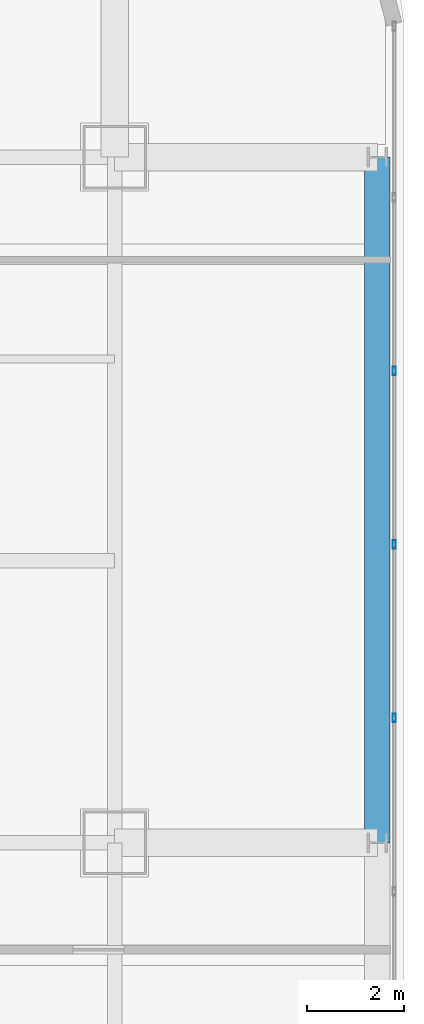
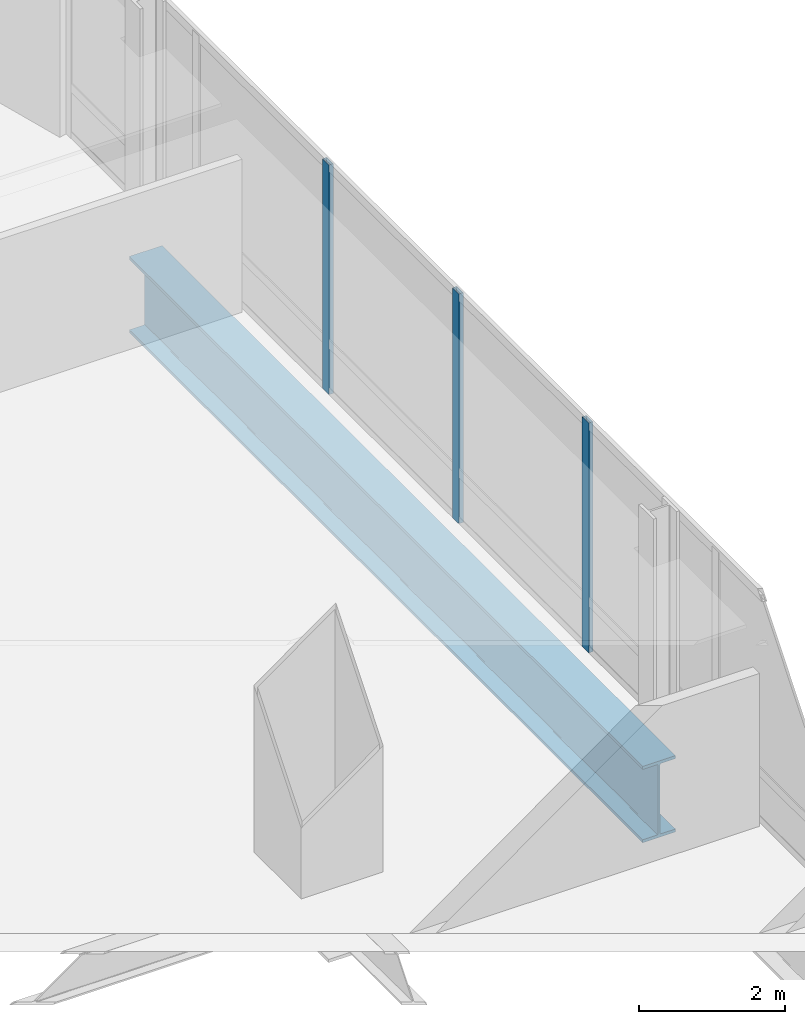
# One storey, part 19 of 44: 3 members, 1 beam, 1 element without a shape of its own.
"""IFC4 building model written with IfcOpenShell, lengths in metres."""

import ifcopenshell
import ifcopenshell.guid

model = None  # the IFC model being written
_history = None  # IfcOwnerHistory: only IFC2X3 demands one
_inside = {}  # id of a spatial element -> (the spatial element, [elements in it])
_under = {}  # id of a project, library or spatial element -> (it, [spatial elements below it])
_declared = {}  # id of a project -> (the project, [libraries it declares])
_typed = {}  # id of a type object -> (the type object, [elements of that type])
_made_of = {}  # id of a material, layer set ... -> (it, [elements and type objects made of it])


def new_model(schema):
    """Start an empty IFC model of exactly this schema.

    Asked for "IFC4X3", IfcOpenShell would pick the latest addendum, in which some entities
    have other attributes; the version numbers below select the first issue.
    IFC2X3 requires an IfcOwnerHistory on every rooted entity: one is made here for all.
    """
    global model, _history
    if schema == "IFC4X3":
        model = ifcopenshell.file(schema_version=(4, 3, 0, 0))
    else:
        model = ifcopenshell.file(schema=schema)
    _inside.clear()
    _under.clear()
    _declared.clear()
    _typed.clear()
    _made_of.clear()
    _history = None
    if model.schema == "IFC2X3":
        org = make("IfcOrganization", Name="unknown")
        user = make(
            "IfcPersonAndOrganization",
            ThePerson=make("IfcPerson", FamilyName="unknown"),
            TheOrganization=org,
        )
        app = make(
            "IfcApplication",
            ApplicationDeveloper=org,
            Version="unknown",
            ApplicationFullName="unknown",
            ApplicationIdentifier="unknown",
        )
        _history = make(
            "IfcOwnerHistory",
            OwningUser=user,
            OwningApplication=app,
            ChangeAction="ADDED",
            CreationDate=0,
        )
    return model


def make(cls, **values):
    """One entity of the class cls with the attributes given. An attribute that is None is left unset."""
    return model.create_entity(
        cls, **{name: value for name, value in values.items() if value is not None}
    )


def rooted(cls, **values):
    """An entity with a GlobalId (a new one), such as an element, a storey or a relation."""
    return make(cls, GlobalId=ifcopenshell.guid.new(), OwnerHistory=_history, **values)


def si_unit(unit_type, name, prefix=None):
    """IfcSIUnit, for example si_unit("LENGTHUNIT", "METRE", prefix="MILLI")."""
    return make("IfcSIUnit", UnitType=unit_type, Prefix=prefix, Name=name)


def assignment(units):
    """IfcUnitAssignment: the units of a project."""
    return None if units is None else make("IfcUnitAssignment", Units=units)


def point(xyz):
    """IfcCartesianPoint."""
    return None if xyz is None else make("IfcCartesianPoint", Coordinates=xyz)


def direction(xyz):
    """IfcDirection."""
    return None if xyz is None else make("IfcDirection", DirectionRatios=xyz)


def frame(location, z_axis=None, x_axis=None):
    """IfcAxis2Placement3D, a coordinate frame: its origin and axes. An axis left out is left unset."""
    return make(
        "IfcAxis2Placement3D",
        Location=point(location),
        Axis=direction(z_axis),
        RefDirection=direction(x_axis),
    )


def frame_2d(location, x_axis=None):
    """IfcAxis2Placement2D, a coordinate frame in the plane: its origin and x axis."""
    return make(
        "IfcAxis2Placement2D", Location=point(location), RefDirection=direction(x_axis)
    )


def origin():
    """The frame at (0, 0, 0) with its axes left unset."""
    return frame((0.0, 0.0, 0.0))


def origin_2d():
    """The frame at (0, 0) in the plane with its x axis left unset."""
    return frame_2d((0.0, 0.0))


def place(relative_to, where):
    """IfcLocalPlacement: puts the frame where relative to a parent placement (None: the world)."""
    return make(
        "IfcLocalPlacement", PlacementRelTo=relative_to, RelativePlacement=where
    )


def context(
    kind, dimensions, precision=None, world=None, true_north=None, identifier=None
):
    """IfcGeometricRepresentationContext, for example the 3D "Model" context."""
    return make(
        "IfcGeometricRepresentationContext",
        ContextIdentifier=identifier,
        ContextType=kind,
        CoordinateSpaceDimension=dimensions,
        Precision=precision,
        WorldCoordinateSystem=world,
        TrueNorth=true_north,
    )


def subcontext(parent, identifier, kind, view, scale=None):
    """IfcGeometricRepresentationSubContext, for example "Body" below "Model"."""
    return make(
        "IfcGeometricRepresentationSubContext",
        ContextIdentifier=identifier,
        ContextType=kind,
        ParentContext=parent,
        TargetScale=scale,
        TargetView=view,
    )


def project(units=None, contexts=None):
    """IfcProject with its units and contexts."""
    return rooted(
        "IfcProject",
        Name="project",
        RepresentationContexts=contexts,
        UnitsInContext=assignment(units),
    )


def spatial(cls, under=None, at=None, **own):
    """A site, building, storey or space (cls), placed at a placement, below another one or the project."""
    s = rooted(cls, ObjectPlacement=at, **own)
    if under is not None:
        _under.setdefault(under.id(), (under, []))[1].append(s)
    return s


def profile(cls, at=None, kind="AREA", **sizes):
    """A parametric profile (cls). Its sizes go by their IFC names, for example OverallWidth=200.0."""
    return make(cls, ProfileType=kind, Position=at, **sizes)


def hollow_rectangle(**sizes):
    """IfcRectangleHollowProfileDef."""
    return profile("IfcRectangleHollowProfileDef", **sizes)


def i_section(**sizes):
    """IfcIShapeProfileDef."""
    return profile("IfcIShapeProfileDef", **sizes)


def extrude(swept, where, along, depth):
    """IfcExtrudedAreaSolid: the profile swept, set in the frame where, extruded along a direction by depth."""
    return make(
        "IfcExtrudedAreaSolid",
        SweptArea=swept,
        Position=where,
        ExtrudedDirection=direction(along),
        Depth=depth,
    )


def shape(context_of_items, identifier, shape_type, items):
    """IfcShapeRepresentation: the items that make up one representation, for example the "Body"."""
    return make(
        "IfcShapeRepresentation",
        ContextOfItems=context_of_items,
        RepresentationIdentifier=identifier,
        RepresentationType=shape_type,
        Items=items,
    )


def material(Name=None, Category=None):
    """IfcMaterial."""
    return make("IfcMaterial", Name=Name, Category=Category)


def material_profile(
    of_material, cross_section, Name=None, Category=None, Priority=None
):
    """IfcMaterialProfile: a cross section and its material."""
    return make(
        "IfcMaterialProfile",
        Name=Name,
        Material=of_material,
        Profile=cross_section,
        Priority=Priority,
        Category=Category,
    )


def profile_set(profiles, Name=None, composite=None):
    """IfcMaterialProfileSet."""
    return make(
        "IfcMaterialProfileSet",
        Name=Name,
        MaterialProfiles=profiles,
        CompositeProfile=composite,
    )


def made_of(thing, what):
    """Note that an element or type object is made of a material, layer set ...; save() writes the relation."""
    if what is not None:
        _made_of.setdefault(what.id(), (what, []))[1].append(thing)
    return thing


def type_object(cls, material=None, **own):
    """A type object (cls), such as IfcWallType, which elements share."""
    return made_of(rooted(cls, **own), material)


def element(
    cls,
    number,
    at=None,
    inside=None,
    cuts=None,
    type_object=None,
    material=None,
    context=None,
    identifier="Body",
    shape_type=None,
    held_by="IfcProductDefinitionShape",
    body=None,
    shapes=None,
    **own,
):
    """One element of the class cls, such as IfcWall. Its Tag is "e" and its number.

    at: its placement. inside: the storey or other place that contains it. cuts: it is an
    opening in that element (IfcRelVoidsElement). A single representation is given by context,
    identifier, shape_type and body (its items); several are given by shapes. held_by: the class
    of the entity that holds the representations. save() writes the other relations.
    """
    e = rooted(cls, Tag="e%d" % number, ObjectPlacement=at, **own)
    if body is not None:
        shapes = [shape(context, identifier, shape_type, body)]
    if shapes is not None:
        e.Representation = make(held_by, Representations=shapes)
    if inside is not None:
        _inside.setdefault(inside.id(), (inside, []))[1].append(e)
    if cuts is not None:
        rooted(
            "IfcRelVoidsElement", RelatingBuildingElement=cuts, RelatedOpeningElement=e
        )
    if type_object is not None:
        _typed.setdefault(type_object.id(), (type_object, []))[1].append(e)
    return made_of(e, material)


def aggregate(whole, parts):
    """IfcRelAggregates: a whole, such as a stair, and the parts it consists of."""
    return rooted("IfcRelAggregates", RelatingObject=whole, RelatedObjects=parts)


def save(model, path):
    """Write the relations noted so far, then the file.

    IfcRelAggregates (storeys below a building ...), IfcRelContainedInSpatialStructure (elements
    in a storey), IfcRelDefinesByType, IfcRelAssociatesMaterial and IfcRelDeclares: one each for
    every whole, place, type object, material and project.
    """
    for whole, parts in _under.values():
        aggregate(whole, parts)
    for where, things in _inside.values():
        rooted(
            "IfcRelContainedInSpatialStructure",
            RelatedElements=things,
            RelatingStructure=where,
        )
    for kind, things in _typed.values():
        rooted("IfcRelDefinesByType", RelatedObjects=things, RelatingType=kind)
    for what, things in _made_of.values():
        rooted("IfcRelAssociatesMaterial", RelatedObjects=things, RelatingMaterial=what)
    for by, libraries in _declared.values():
        rooted("IfcRelDeclares", RelatingContext=by, RelatedDefinitions=libraries)
    model.write(path)


model = new_model("IFC4")

# Units and contexts
model_context = context("Model", 3, precision=1e-05, world=origin(), true_north=direction((0.0, 1.0)))
body_context = subcontext(model_context, "Body", "Model", "MODEL_VIEW")
ifc_project = project(units=[si_unit("LENGTHUNIT", "METRE"), si_unit("AREAUNIT", "SQUARE_METRE"), si_unit("VOLUMEUNIT", "CUBIC_METRE"), si_unit("PLANEANGLEUNIT", "RADIAN"), si_unit("MASSUNIT", "GRAM", prefix="KILO")], contexts=[model_context])

# Site, building, storey
site_placement = place(None, origin())
site = spatial("IfcSite", under=ifc_project, at=site_placement, CompositionType="ELEMENT")
building_placement = place(site_placement, origin())
building = spatial("IfcBuilding", under=site, at=building_placement, Name="Punatoya Terracotta Tower", CompositionType="ELEMENT")
storey_placement = place(building_placement, frame((0.0, 0.0, 267.60009765625)))
storey = spatial("IfcBuildingStorey", under=building, at=storey_placement, Name="L63", CompositionType="ELEMENT", Elevation=267.60009765625)

# Beam
ifc_material_1 = material(Name="Steel S460", Category="steel")
ifc_material_profile_1 = material_profile(ifc_material_1, i_section(OverallWidth=0.52001953125, OverallDepth=1.280029296875, WebThickness=0.031982421875, FlangeThickness=0.050048828125, FilletRadius=0.01806640625, at=origin_2d()))
ifc_profile_set_1 = profile_set([ifc_material_profile_1], Name="Steel S460")
beam_type = type_object("IfcBeamType", Name="BM-TG-NCK", PredefinedType="BEAM", material=ifc_profile_set_1)
beam_placement = place(storey_placement, frame((24.5, 3.39990234375, -0.840087890625), z_axis=(0.0, 1.0, 0.0), x_axis=(-1.0, 0.0, 0.0)))
element("IfcBeam", 1, at=beam_placement, inside=storey, type_object=beam_type, Name="BM-L63-PER-E3", PredefinedType="BEAM", context=body_context, shape_type="SweptSolid", body=[
    extrude(i_section(OverallWidth=0.52001953125, OverallDepth=1.280029296875, WebThickness=0.031982421875, FlangeThickness=0.050048828125, FilletRadius=0.01806640625, at=origin_2d()), origin(), (0.0, 0.0, 1.0), 14.10009765625),
])

# Curtain wall, members
ifc_material_2 = material(Name="Aluminium 6063-T6 + Double Low-E Glass", Category="aluminium")
curtain_wall_type = type_object("IfcCurtainWallType", Name="CW-M3", PredefinedType="NOTDEFINED", material=ifc_material_2)
curtain_wall_placement = place(storey_placement, origin())
curtain_wall = element("IfcCurtainWall", 2, at=curtain_wall_placement, inside=storey, type_object=curtain_wall_type, Name="L63 Curtain Wall CW-L63-E05-1", PredefinedType="NOTDEFINED")
ifc_material_3 = material(Name="Aluminium 6063-T6", Category="aluminium")
ifc_material_profile_2 = material_profile(ifc_material_3, hollow_rectangle(XDim=0.070068359375, YDim=0.179931640625, WallThickness=0.00390625, at=origin_2d()))
ifc_profile_set_2 = profile_set([ifc_material_profile_2], Name="Aluminium 6063-T6")
member_type = type_object("IfcMemberType", Name="CW-MUL-M3", PredefinedType="MULLION", material=ifc_profile_set_2)
member_1_placement = place(storey_placement, frame((24.85009765625, 5.96728515625, 0.0), z_axis=(0.0, 0.0, 1.0), x_axis=(1.0, 0.0, 0.0)))
member_1 = element("IfcMember", 3, at=member_1_placement, type_object=member_type, Name="CW-L63-E05-1 Mullion 06", PredefinedType="MULLION", context=body_context, shape_type="SweptSolid", body=[
    extrude(hollow_rectangle(XDim=0.070068359375, YDim=0.179931640625, WallThickness=0.00390625, at=origin_2d()), origin(), (0.0, 0.0, 1.0), 3.849853515625),
])
member_2_placement = place(storey_placement, frame((24.85009765625, 9.534912109375, 0.0), z_axis=(0.0, 0.0, 1.0), x_axis=(1.0, 0.0, 0.0)))
member_2 = element("IfcMember", 4, at=member_2_placement, type_object=member_type, Name="CW-L63-E05-1 Mullion 07", PredefinedType="MULLION", context=body_context, shape_type="SweptSolid", body=[
    extrude(hollow_rectangle(XDim=0.070068359375, YDim=0.179931640625, WallThickness=0.00390625, at=origin_2d()), origin(), (0.0, 0.0, 1.0), 3.849853515625),
])
member_3_placement = place(storey_placement, frame((24.85009765625, 13.10205078125, 0.0), z_axis=(0.0, 0.0, 1.0), x_axis=(1.0, 0.0, 0.0)))
member_3 = element("IfcMember", 5, at=member_3_placement, type_object=member_type, Name="CW-L63-E05-1 Mullion 08", PredefinedType="MULLION", context=body_context, shape_type="SweptSolid", body=[
    extrude(hollow_rectangle(XDim=0.070068359375, YDim=0.179931640625, WallThickness=0.00390625, at=origin_2d()), origin(), (0.0, 0.0, 1.0), 3.849853515625),
])
aggregate(curtain_wall, [member_1, member_2, member_3])

save(model, "model.ifc")
